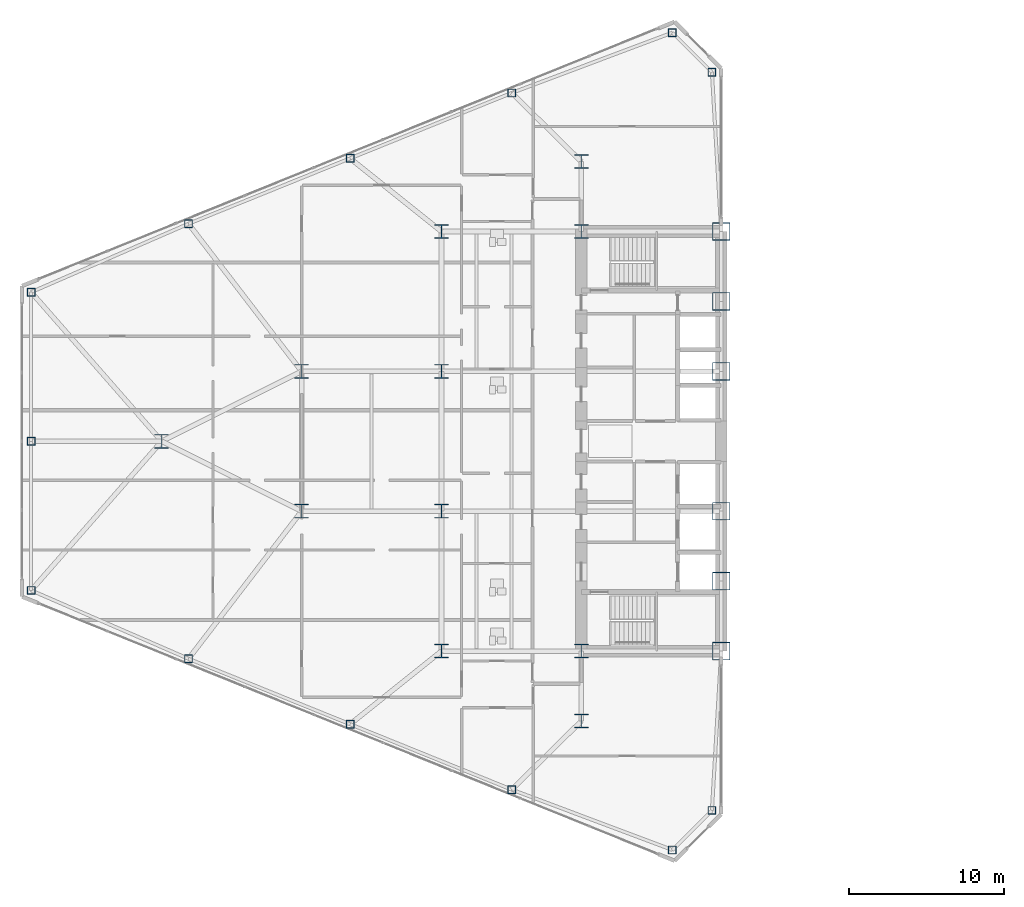
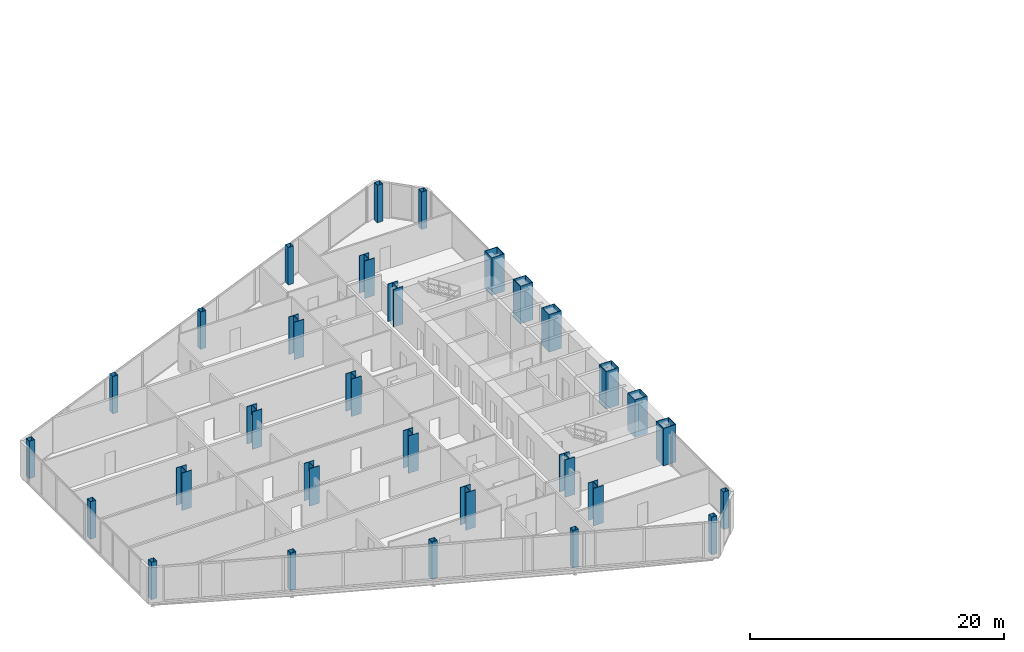
# One storey, part 1 of 25: 30 columns.
"""IFC4 building model written with IfcOpenShell, lengths in metres."""

from ifc_helpers import new_model, si_unit, direction, frame, origin, origin_2d, place, context, subcontext, project, spatial, hollow_rectangle, i_section, extrude, source, transform, mapped, material, material_profile, profile_set, type_object, type_shapes, element, save


model = new_model("IFC4")

# Units and contexts
model_context = context("Model", 3, precision=1e-05, world=origin(), true_north=direction((0.0, 1.0)))
body_context = subcontext(model_context, "Body", "Model", "MODEL_VIEW")
ifc_project = project(units=[si_unit("LENGTHUNIT", "METRE"), si_unit("AREAUNIT", "SQUARE_METRE"), si_unit("VOLUMEUNIT", "CUBIC_METRE"), si_unit("PLANEANGLEUNIT", "RADIAN"), si_unit("MASSUNIT", "GRAM", prefix="KILO")], contexts=[model_context])

# Site, building, storey
site_placement = place(None, origin())
site = spatial("IfcSite", under=ifc_project, at=site_placement, CompositionType="ELEMENT")
building_placement = place(site_placement, origin())
building = spatial("IfcBuilding", under=site, at=building_placement, Name="Seokmaru Belvedere", CompositionType="ELEMENT")
storey_placement = place(building_placement, frame((0.0, 0.0, 29.699951171875)))
storey = spatial("IfcBuildingStorey", under=building, at=storey_placement, Name="L07", CompositionType="ELEMENT", Elevation=29.699951171875)

# Columns
ifc_material_1 = material(Name="Steel HSA650 (650 MPa)", Category="steel")
ifc_material_profile_1 = material_profile(ifc_material_1, hollow_rectangle(XDim=1.14990234375, YDim=1.14990234375, WallThickness=0.048095703125, at=origin_2d()), Name="BOX-1150x1150x48")
ifc_profile_set_1 = profile_set([ifc_material_profile_1], Name="Steel HSA650 (650 MPa)")
column_type_1 = type_object("IfcColumnType", Name="Portal Spine Column BOX-1150", PredefinedType="COLUMN", material=ifc_profile_set_1)
shared_shape_1 = source(origin(), body_context, "Body", "SweptSolid", [
    extrude(hollow_rectangle(XDim=1.14990234375, YDim=1.14990234375, WallThickness=0.048095703125, at=origin_2d()), origin(), (0.0, 0.0, 1.0), 3.60009765625),
])
type_shapes(column_type_1, [shared_shape_1])
for number, where, z_axis, x_axis, name in (
    (1, (-27.5, -13.5, 0.0), (0.0, 0.0, 1.0), (1.0, 0.0, 0.0), "L07 Column WS1"),
    (2, (-27.5, -9.0, 0.0), (0.0, 0.0, 1.0), (1.0, 0.0, 0.0), "L07 Column WS2"),
    (3, (-27.5, -4.5, 0.0), (0.0, 0.0, 1.0), (1.0, 0.0, 0.0), "L07 Column WS3"),
    (4, (-27.5, 4.5, 0.0), (0.0, 0.0, 1.0), (1.0, 0.0, 0.0), "L07 Column WS4"),
    (5, (-27.5, 9.0, 0.0), (0.0, 0.0, 1.0), (1.0, 0.0, 0.0), "L07 Column WS5"),
    (6, (-27.5, 13.5, 0.0), (0.0, 0.0, 1.0), (1.0, 0.0, 0.0), "L07 Column WS6"),
):
    element("IfcColumn", number, at=place(storey_placement, frame(where, z_axis=z_axis, x_axis=x_axis)), inside=storey, type_object=column_type_1, Name=name, PredefinedType="COLUMN", context=body_context, shape_type="MappedRepresentation", body=[
        mapped(shared_shape_1, transform((0.0, 0.0, 0.0), scale=1.0)),
    ])
ifc_material_profile_2 = material_profile(ifc_material_1, i_section(OverallWidth=0.89990234375, OverallDepth=0.89990234375, WebThickness=0.035888671875, FlangeThickness=0.054931640625, at=origin_2d()), Name="H-900x900x36x55")
ifc_profile_set_2 = profile_set([ifc_material_profile_2], Name="Steel HSA650 (650 MPa)")
column_type_2 = type_object("IfcColumnType", Name="Lower Interior Column H-900", PredefinedType="COLUMN", material=ifc_profile_set_2)
shared_shape_2 = source(origin(), body_context, "Body", "SweptSolid", [
    extrude(i_section(OverallWidth=0.89990234375, OverallDepth=0.89990234375, WebThickness=0.035888671875, FlangeThickness=0.054931640625, at=origin_2d()), origin(), (0.0, 0.0, 1.0), 3.60009765625),
])
type_shapes(column_type_2, [shared_shape_2])
for number, where, z_axis, x_axis, name in (
    (7, (-36.5, -18.0, 0.0), (0.0, 0.0, 1.0), (1.0, 0.0, 0.0), "L07 Column WC1"),
    (8, (-36.5, -13.5, 0.0), (0.0, 0.0, 1.0), (1.0, 0.0, 0.0), "L07 Column WC2"),
    (9, (-36.5, 13.5, 0.0), (0.0, 0.0, 1.0), (1.0, 0.0, 0.0), "L07 Column WC3"),
    (10, (-36.5, 18.0, 0.0), (0.0, 0.0, 1.0), (1.0, 0.0, 0.0), "L07 Column WC4"),
    (11, (-45.5, -13.5, 0.0), (0.0, 0.0, 1.0), (1.0, 0.0, 0.0), "L07 Column WG5_1"),
    (12, (-45.5, -4.5, 0.0), (0.0, 0.0, 1.0), (1.0, 0.0, 0.0), "L07 Column WG5_2"),
    (13, (-45.5, 4.5, 0.0), (0.0, 0.0, 1.0), (1.0, 0.0, 0.0), "L07 Column WG5_3"),
    (14, (-45.5, 13.5, 0.0), (0.0, 0.0, 1.0), (1.0, 0.0, 0.0), "L07 Column WG5_4"),
    (15, (-54.5, -4.5, 0.0), (0.0, 0.0, 1.0), (1.0, 0.0, 0.0), "L07 Column WG4P_1"),
    (16, (-54.5, 4.5, 0.0), (0.0, 0.0, 1.0), (1.0, 0.0, 0.0), "L07 Column WG4P_2"),
    (17, (-63.5, 0.0, 0.0), (0.0, 0.0, 1.0), (1.0, 0.0, 0.0), "L07 Column WG3P_1"),
):
    element("IfcColumn", number, at=place(storey_placement, frame(where, z_axis=z_axis, x_axis=x_axis)), inside=storey, type_object=column_type_2, Name=name, PredefinedType="COLUMN", context=body_context, shape_type="MappedRepresentation", body=[
        mapped(shared_shape_2, transform((0.0, 0.0, 0.0), scale=1.0)),
    ])
ifc_material_2 = material(Name="Steel SM355 (355 MPa)", Category="steel")
ifc_material_profile_3 = material_profile(ifc_material_2, hollow_rectangle(XDim=0.5, YDim=0.5, WallThickness=0.02001953125, at=origin_2d()), Name="HSS-500x500x20")
ifc_profile_set_3 = profile_set([ifc_material_profile_3], Name="Steel SM355 (355 MPa)")
column_type_3 = type_object("IfcColumnType", Name="Perimeter Facet Column HSS-500", PredefinedType="COLUMN", material=ifc_profile_set_3)
shared_shape_3 = source(origin(), body_context, "Body", "SweptSolid", [
    extrude(hollow_rectangle(XDim=0.5, YDim=0.5, WallThickness=0.02001953125, at=origin_2d()), origin(), (0.0, 0.0, 1.0), 3.60009765625),
])
type_shapes(column_type_3, [shared_shape_3])
for number, where, z_axis, x_axis, name in (
    (18, (-28.10009765625, -23.75146484375, 0.0), (0.0, 0.0, 1.0), (1.0, 0.0, 0.0), "L07 Column WF1"),
    (19, (-28.10009765625, 23.75146484375, 0.0), (0.0, 0.0, 1.0), (1.0, 0.0, 0.0), "L07 Column WF2"),
    (20, (-30.643310546875, 26.294677734375, 0.0), (0.0, 0.0, 1.0), (1.0, 0.0, 0.0), "L07 Column WF3"),
    (21, (-71.89990234375, 9.595703125, 0.0), (0.0, 0.0, 1.0), (1.0, 0.0, 0.0), "L07 Column WF4"),
    (22, (-71.89990234375, -9.595703125, 0.0), (0.0, 0.0, 1.0), (1.0, 0.0, 0.0), "L07 Column WF5"),
    (23, (-30.643310546875, -26.294677734375, 0.0), (0.0, 0.0, 1.0), (1.0, 0.0, 0.0), "L07 Column WF6"),
    (24, (-40.977294921875, -22.4140625, 0.0), (0.0, 0.0, 1.0), (1.0, 0.0, 0.0), "L07 Column WFLK_S1"),
    (25, (-51.378173828125, -18.2041015625, 0.0), (0.0, 0.0, 1.0), (1.0, 0.0, 0.0), "L07 Column WFLK_S2"),
    (26, (-61.779052734375, -13.994140625, 0.0), (0.0, 0.0, 1.0), (1.0, 0.0, 0.0), "L07 Column WFLK_S3"),
    (27, (-40.977294921875, 22.4140625, 0.0), (0.0, 0.0, 1.0), (1.0, 0.0, 0.0), "L07 Column WFLK_N1"),
    (28, (-51.378173828125, 18.2041015625, 0.0), (0.0, 0.0, 1.0), (1.0, 0.0, 0.0), "L07 Column WFLK_N2"),
    (29, (-61.779052734375, 13.994140625, 0.0), (0.0, 0.0, 1.0), (1.0, 0.0, 0.0), "L07 Column WFLK_N3"),
    (30, (-71.89990234375, 0.0, 0.0), (0.0, 0.0, 1.0), (1.0, 0.0, 0.0), "L07 Column WF_APXM"),
):
    element("IfcColumn", number, at=place(storey_placement, frame(where, z_axis=z_axis, x_axis=x_axis)), inside=storey, type_object=column_type_3, Name=name, PredefinedType="COLUMN", context=body_context, shape_type="MappedRepresentation", body=[
        mapped(shared_shape_3, transform((0.0, 0.0, 0.0), scale=1.0)),
    ])

save(model, "model.ifc")
